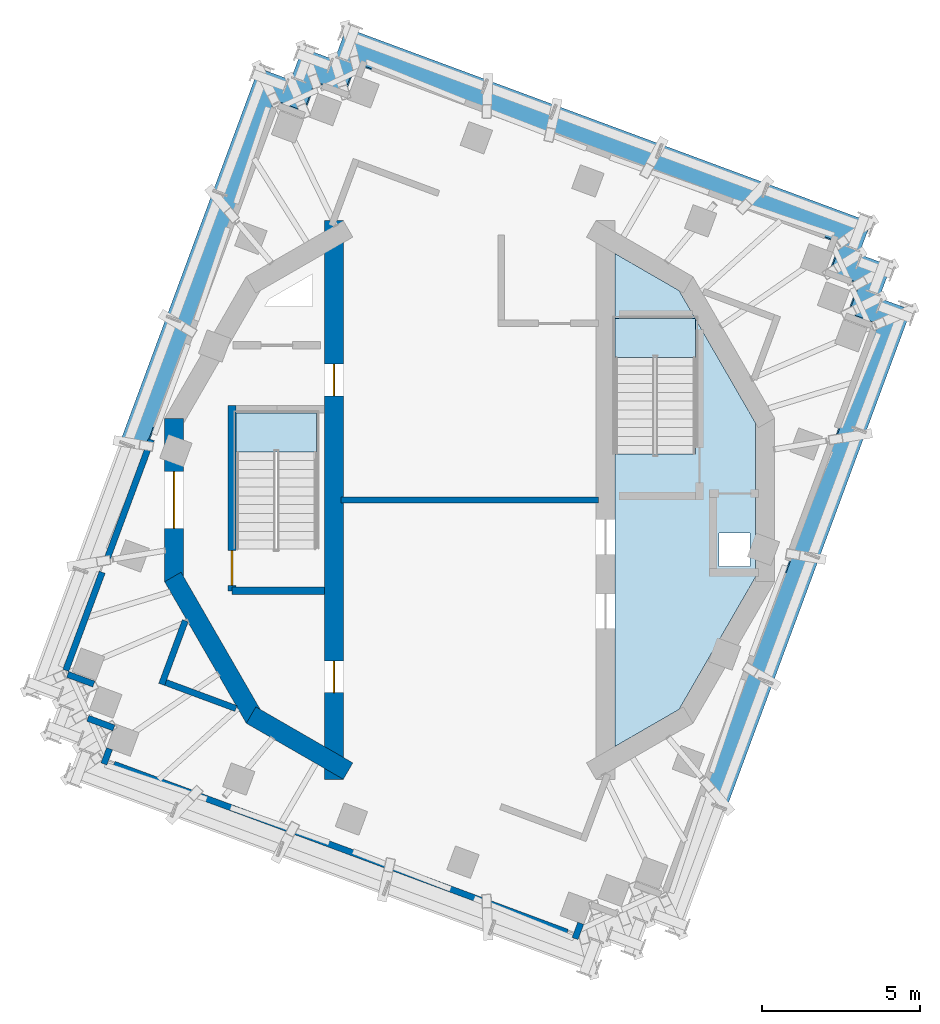
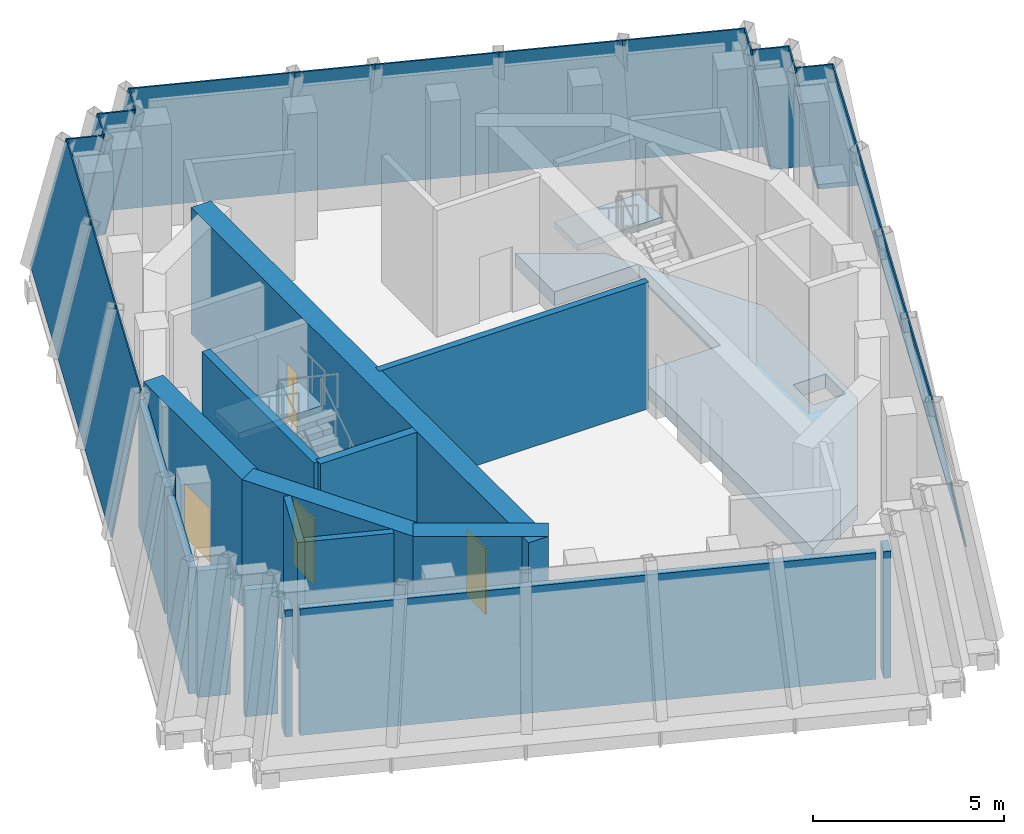
# One storey, part 4 of 11: 20 plates, 16 walls, 4 doors, 4 slabs, 4 openings, 22 elements without a shape of their own.
"""IFC4 building model written with IfcOpenShell, lengths in metres."""

from ifc_helpers import new_model, si_unit, direction, frame, frame_2d, origin, place, context, subcontext, project, spatial, polyline, rectangle, outline, extrude, material, layer, layer_set, type_object, element, fill, aggregate, save


model = new_model("IFC4")

# Units and contexts
model_context = context("Model", 3, precision=1e-05, world=origin(), true_north=direction((0.0, 1.0)))
body_context = subcontext(model_context, "Body", "Model", "MODEL_VIEW")
ifc_project = project(units=[si_unit("LENGTHUNIT", "METRE"), si_unit("AREAUNIT", "SQUARE_METRE"), si_unit("VOLUMEUNIT", "CUBIC_METRE"), si_unit("PLANEANGLEUNIT", "RADIAN"), si_unit("MASSUNIT", "GRAM", prefix="KILO")], contexts=[model_context])

# Site, building, storey
site_placement = place(None, origin())
site = spatial("IfcSite", under=ifc_project, at=site_placement, CompositionType="ELEMENT")
building_placement = place(site_placement, origin())
building = spatial("IfcBuilding", under=site, at=building_placement, Name="Cantera Rosa Tower", CompositionType="ELEMENT")
storey_placement = place(building_placement, frame((0.0, 0.0, 369.699951171875)))
storey = spatial("IfcBuildingStorey", under=building, at=storey_placement, Name="L83", CompositionType="ELEMENT", Elevation=369.699951171875)

# Curtain wall, plate
ifc_material_1 = material(Name="Aluminium frame with clear glass", Category="aluminium")
curtain_wall_type = type_object("IfcCurtainWallType", Name="CW4 CROWN GLAZING", PredefinedType="NOTDEFINED", material=ifc_material_1)
curtain_wall_1_placement = place(storey_placement, origin())
curtain_wall_1 = element("IfcCurtainWall", 1, at=curtain_wall_1_placement, inside=storey, type_object=curtain_wall_type, Name="CW4 L83-01", PredefinedType="NOTDEFINED")
ifc_material_2 = material(Name="Aluminium frame with clear glass", Category="aluminium")
ifc_layer_1 = layer(ifc_material_2, 0.0400390625)
ifc_layer_set_1 = layer_set([ifc_layer_1], Name="CW-PANEL CROWN 40")
plate_type = type_object("IfcPlateType", Name="CW-PANEL CROWN 40", PredefinedType="CURTAIN_PANEL", material=ifc_layer_set_1)
plate_1_placement = place(storey_placement, frame((12.704345703125, 8.796630859375, 0.0), z_axis=(0.340165355727, 0.91795600578, 0.204069356384), x_axis=(-0.937688267395, 0.347477644157, -6.23749e-07)))
plate_1 = element("IfcPlate", 2, at=plate_1_placement, type_object=plate_type, Name="CROWN GLAZING L83-01", PredefinedType="CURTAIN_PANEL", context=body_context, shape_type="SweptSolid", body=[
    extrude(outline(polyline([(0.0, 0.0), (3.5425216914109896, 2.7755575615628914e-17), (3.935899338114122, 4.596734137650052), (0.6560934916046288, 4.596729790755688), (0.0, 0.0)])), origin(), (0.0, 0.0, -1.0), 0.0400390625),
])
aggregate(curtain_wall_1, [plate_1])

curtain_wall_2_placement = place(storey_placement, origin())
curtain_wall_2 = element("IfcCurtainWall", 3, at=curtain_wall_2_placement, inside=storey, type_object=curtain_wall_type, Name="CW4 L83-02", PredefinedType="NOTDEFINED")
plate_2_placement = place(storey_placement, frame((9.382568359375, 10.027587890625, 0.0), z_axis=(0.34019613828, 0.917944538291, 0.204069625669), x_axis=(-0.937676746186, 0.347508733216, 1.295358e-06)))
plate_2 = element("IfcPlate", 4, at=plate_2_placement, type_object=plate_type, Name="CROWN GLAZING L83-02", PredefinedType="CURTAIN_PANEL", context=body_context, shape_type="SweptSolid", body=[
    extrude(outline(polyline([(0.0, 0.0), (3.5422927648262013, 8.326672684688674e-17), (3.6734747911002588, 4.596727032692351), (0.39335518079024817, 4.596736060132254), (0.0, 0.0)])), origin(), (0.0, 0.0, -1.0), 0.0400390625),
])
aggregate(curtain_wall_2, [plate_2])

curtain_wall_3_placement = place(storey_placement, origin())
curtain_wall_3 = element("IfcCurtainWall", 5, at=curtain_wall_3_placement, inside=storey, type_object=curtain_wall_type, Name="CW4 L83-03", PredefinedType="NOTDEFINED")
plate_3_placement = place(storey_placement, frame((6.06103515625, 11.258544921875, 0.0), z_axis=(0.340153527855, 0.917959118836, 0.204075068623), x_axis=(-0.937692408007, 0.347466470263, -3.107885e-06)))
plate_3 = element("IfcPlate", 6, at=plate_3_placement, type_object=plate_type, Name="CROWN GLAZING L83-03", PredefinedType="CURTAIN_PANEL", context=body_context, shape_type="SweptSolid", body=[
    extrude(outline(polyline([(0.0, 0.0), (3.5425216910167356, 0.0), (3.411239265290059, 4.596748050840257), (0.13120449008120116, 4.596726391300614), (0.0, 0.0)])), origin(), (0.0, 0.0, -1.0), 0.0400390625),
])
aggregate(curtain_wall_3, [plate_3])

curtain_wall_4_placement = place(storey_placement, origin())
curtain_wall_4 = element("IfcCurtainWall", 7, at=curtain_wall_4_placement, inside=storey, type_object=curtain_wall_type, Name="CW4 L83-04", PredefinedType="NOTDEFINED")
plate_4_placement = place(storey_placement, frame((2.7392578125, 12.489501953125, 0.0), z_axis=(0.3401485972, 0.917958198067, 0.204087428382), x_axis=(-0.93769413792, 0.347461801801, -3.12914e-07)))
plate_4 = element("IfcPlate", 8, at=plate_4_placement, type_object=plate_type, Name="CROWN GLAZING L83-04", PredefinedType="CURTAIN_PANEL", context=body_context, shape_type="SweptSolid", body=[
    extrude(outline(polyline([(0.0, 0.0), (2.2969214635780513, 2.7755575615628914e-17), (1.9956367477705963, 4.596749957763472), (-0.13126517769772536, 4.596748543724195), (0.0, 0.0)])), origin(), (0.0, 0.0, -1.0), 0.0400390625),
])
aggregate(curtain_wall_4, [plate_4])

curtain_wall_5_placement = place(storey_placement, origin())
curtain_wall_5 = element("IfcCurtainWall", 9, at=curtain_wall_5_placement, inside=storey, type_object=curtain_wall_type, Name="CW4 L83-05", PredefinedType="NOTDEFINED")
plate_5_placement = place(storey_placement, frame((0.58544921875, 13.28759765625, 0.0), z_axis=(0.340173414092, 0.917955003053, 0.204060433978), x_axis=(-0.937685886302, 0.347484069566, 5.239377e-06)))
plate_5 = element("IfcPlate", 10, at=plate_5_placement, type_object=plate_type, Name="CROWN GLAZING L83-05", PredefinedType="CURTAIN_PANEL", context=body_context, shape_type="SweptSolid", body=[
    extrude(outline(polyline([(0.0, 0.0), (4.787808157527941, 5.551115123125783e-17), (4.131741521145036, 4.59670078371996), (-0.30128200891923224, 4.596750133537812), (0.0, 0.0)])), origin(), (0.0, 0.0, -1.0), 0.0400390625),
])
aggregate(curtain_wall_5, [plate_5])

curtain_wall_6_placement = place(storey_placement, origin())
curtain_wall_6 = element("IfcCurtainWall", 11, at=curtain_wall_6_placement, inside=storey, type_object=curtain_wall_type, Name="CW4 L83-06", PredefinedType="NOTDEFINED")
plate_6_placement = place(storey_placement, frame((-3.904052734375, 14.951171875, 0.0), z_axis=(-0.92785937588, 0.343896809611, 0.144263519058), x_axis=(-0.347530614939, -0.937668636321, 1.1874287e-05)))
plate_6 = element("IfcPlate", 12, at=plate_6_placement, type_object=plate_type, Name="CROWN GLAZING L83-06", PredefinedType="CURTAIN_PANEL", context=body_context, shape_type="SweptSolid", body=[
    extrude(outline(polyline([(0.0, 0.0), (1.0799814596236874, -1.3877787807814457e-17), (1.938019738841412, 4.547547492906779), (0.9379052789341547, 4.547572453670611), (0.0, 0.0)])), origin(), (0.0, 0.0, -1.0), 0.0400390625),
])
aggregate(curtain_wall_6, [plate_6])

curtain_wall_7_placement = place(storey_placement, origin())
curtain_wall_7 = element("IfcCurtainWall", 13, at=curtain_wall_7_placement, inside=storey, type_object=curtain_wall_type, Name="CW4 L83-07", PredefinedType="NOTDEFINED")
plate_7_placement = place(storey_placement, frame((-4.279296875, 13.9384765625, 0.0), z_axis=(0.341318357616, 0.92109832454, 0.187295636052), x_axis=(-0.937692277165, 0.347466823364, 2.558295e-06)))
plate_7 = element("IfcPlate", 14, at=plate_7_placement, type_object=plate_type, Name="CROWN GLAZING L83-07", PredefinedType="CURTAIN_PANEL", context=body_context, shape_type="SweptSolid", body=[
    extrude(outline(polyline([(0.0, 0.0), (1.0799814631813167, 0.0), (0.3439133341524244, 4.5810675658961095), (-0.6558873577324322, 4.581072982446007), (0.0, 0.0)])), origin(), (0.0, 0.0, -1.0), 0.0400390625),
])
aggregate(curtain_wall_7, [plate_7])

curtain_wall_8_placement = place(storey_placement, origin())
curtain_wall_8 = element("IfcCurtainWall", 15, at=curtain_wall_8_placement, inside=storey, type_object=curtain_wall_type, Name="CW4 L83-08", PredefinedType="NOTDEFINED")
plate_8_placement = place(storey_placement, frame((-5.2919921875, 14.313720703125, 0.0), z_axis=(-0.925357342756, 0.343012405095, 0.161419571792), x_axis=(-0.347567460448, -0.937654979216, 1.9749413e-05)))
plate_8 = element("IfcPlate", 16, at=plate_8_placement, type_object=plate_type, Name="CROWN GLAZING L83-08", PredefinedType="CURTAIN_PANEL", context=body_context, shape_type="SweptSolid", body=[
    extrude(outline(polyline([(0.0, 0.0), (1.0799814551988824, 0.0), (1.8578948823988308, 4.559760598505804), (0.8580093394628903, 4.559802220494886), (0.0, 0.0)])), origin(), (0.0, 0.0, -1.0), 0.0400390625),
])
aggregate(curtain_wall_8, [plate_8])

curtain_wall_9_placement = place(storey_placement, origin())
curtain_wall_9 = element("IfcCurtainWall", 17, at=curtain_wall_9_placement, inside=storey, type_object=curtain_wall_type, Name="CW4 L83-09", PredefinedType="NOTDEFINED")
plate_9_placement = place(storey_placement, frame((-5.667236328125, 13.301025390625, 0.0), z_axis=(0.342389302331, 0.923988428047, 0.17033775414), x_axis=(-0.937692247863, 0.347466902441, 2.333965e-06)))
plate_9 = element("IfcPlate", 18, at=plate_9_placement, type_object=plate_type, Name="CROWN GLAZING L83-09", PredefinedType="CURTAIN_PANEL", context=body_context, shape_type="SweptSolid", body=[
    extrude(outline(polyline([(0.0, 0.0), (1.0799814631806834, -6.938893903907228e-18), (0.2639904121569311, 4.566738910059419), (-0.7358102797297783, 4.566743836190985), (0.0, 0.0)])), origin(), (0.0, 0.0, -1.0), 0.0400390625),
])
aggregate(curtain_wall_9, [plate_9])

curtain_wall_10_placement = place(storey_placement, origin())
curtain_wall_10 = element("IfcCurtainWall", 19, at=curtain_wall_10_placement, inside=storey, type_object=curtain_wall_type, Name="CW4 L83-10", PredefinedType="NOTDEFINED")
plate_10_placement = place(storey_placement, frame((-6.679931640625, 13.67626953125, 0.0), z_axis=(-0.92262675719, 0.341932435402, 0.178443482752), x_axis=(-0.347510315177, -0.937676159897, -2.366068e-06)))
plate_10 = element("IfcPlate", 20, at=plate_10_placement, type_object=plate_type, Name="CROWN GLAZING L83-10", PredefinedType="CURTAIN_PANEL", context=body_context, shape_type="SweptSolid", body=[
    extrude(outline(polyline([(0.0, 0.0), (4.2010538390389245, 0.0), (4.667957882651408, 4.5734135868692665), (0.7778250408148607, 4.573394130293055), (0.0, 0.0)])), origin(), (0.0, 0.0, -1.0), 0.0400390625),
])
aggregate(curtain_wall_10, [plate_10])

curtain_wall_11_placement = place(storey_placement, origin())
curtain_wall_11 = element("IfcCurtainWall", 21, at=curtain_wall_11_placement, inside=storey, type_object=curtain_wall_type, Name="CW4 L83-11", PredefinedType="NOTDEFINED")
plate_11_placement = place(storey_placement, frame((-8.139892578125, 9.737060546875, 0.0), z_axis=(-0.92263984689, 0.341907596756, 0.178423395917), x_axis=(-0.34748240003, -0.937686504988, 5.778783e-06)))
plate_11 = element("IfcPlate", 22, at=plate_11_placement, type_object=plate_type, Name="CROWN GLAZING L83-11", PredefinedType="CURTAIN_PANEL", context=body_context, shape_type="SweptSolid", body=[
    extrude(outline(polyline([(0.0, 0.0), (4.201197928286245, 0.0), (4.356868906778669, 4.573359843239771), (0.46696499235436695, 4.573407362460276), (0.0, 0.0)])), origin(), (0.0, 0.0, -1.0), 0.0400390625),
])
aggregate(curtain_wall_11, [plate_11])

curtain_wall_12_placement = place(storey_placement, origin())
curtain_wall_12 = element("IfcCurtainWall", 23, at=curtain_wall_12_placement, inside=storey, type_object=curtain_wall_type, Name="CW4 L83-12", PredefinedType="NOTDEFINED")
plate_12_placement = place(storey_placement, frame((-9.599609375, 5.797607421875, 0.0), z_axis=(-0.922643619903, 0.341897992947, 0.178422288606), x_axis=(-0.347474508271, -0.937689429433, -5.62825e-06)))
plate_12 = element("IfcPlate", 24, at=plate_12_placement, type_object=plate_type, Name="CROWN GLAZING L83-12", PredefinedType="CURTAIN_PANEL", context=body_context, shape_type="SweptSolid", body=[
    extrude(outline(polyline([(0.0, 0.0), (4.201282761911485, 0.0), (4.045674521809842, 4.573407639344255), (0.15562651327838906, 4.573361356663039), (0.0, 0.0)])), origin(), (0.0, 0.0, -1.0), 0.0400390625),
])
aggregate(curtain_wall_12, [plate_12])

curtain_wall_13_placement = place(storey_placement, origin())
curtain_wall_13 = element("IfcCurtainWall", 25, at=curtain_wall_13_placement, inside=storey, type_object=curtain_wall_type, Name="CW4 L83-29", PredefinedType="NOTDEFINED")
plate_13_placement = place(storey_placement, frame((8.139892578125, -9.737060546875, 0.0), z_axis=(0.92263984689, -0.341907596756, 0.178423395917), x_axis=(0.34748240003, 0.937686504988, 5.778783e-06)))
plate_13 = element("IfcPlate", 26, at=plate_13_placement, type_object=plate_type, Name="CROWN GLAZING L83-29", PredefinedType="CURTAIN_PANEL", context=body_context, shape_type="SweptSolid", body=[
    extrude(outline(polyline([(0.0, 0.0), (4.201197928286245, 0.0), (4.356868906778669, 4.573359843239771), (0.46696499235436695, 4.573407362460276), (0.0, 0.0)])), origin(), (0.0, 0.0, -1.0), 0.0400390625),
])
aggregate(curtain_wall_13, [plate_13])

curtain_wall_14_placement = place(storey_placement, origin())
curtain_wall_14 = element("IfcCurtainWall", 27, at=curtain_wall_14_placement, inside=storey, type_object=curtain_wall_type, Name="CW4 L83-30", PredefinedType="NOTDEFINED")
plate_14_placement = place(storey_placement, frame((9.599609375, -5.797607421875, 0.0), z_axis=(0.922643619903, -0.341897992947, 0.178422288606), x_axis=(0.347474508271, 0.937689429433, -5.62825e-06)))
plate_14 = element("IfcPlate", 28, at=plate_14_placement, type_object=plate_type, Name="CROWN GLAZING L83-30", PredefinedType="CURTAIN_PANEL", context=body_context, shape_type="SweptSolid", body=[
    extrude(outline(polyline([(0.0, 0.0), (4.201282761911485, 0.0), (4.045674521809842, 4.573407639344255), (0.15562651327838906, 4.573361356663039), (0.0, 0.0)])), origin(), (0.0, 0.0, -1.0), 0.0400390625),
])
aggregate(curtain_wall_14, [plate_14])

curtain_wall_15_placement = place(storey_placement, origin())
curtain_wall_15 = element("IfcCurtainWall", 29, at=curtain_wall_15_placement, inside=storey, type_object=curtain_wall_type, Name="CW4 L83-31", PredefinedType="NOTDEFINED")
plate_15_placement = place(storey_placement, frame((11.0595703125, -1.858154296875, 0.0), z_axis=(0.922640223425, -0.34190773629, 0.178421181432), x_axis=(0.347482400054, 0.937686504979, 5.778713e-06)))
plate_15 = element("IfcPlate", 30, at=plate_15_placement, type_object=plate_type, Name="CROWN GLAZING L83-31", PredefinedType="CURTAIN_PANEL", context=body_context, shape_type="SweptSolid", body=[
    extrude(outline(polyline([(0.0, 0.0), (4.201197928286243, 2.7755575615628914e-17), (3.7343401369501623, 4.573361633215061), (-0.15556377747414465, 4.573409151845786), (0.0, 0.0)])), origin(), (0.0, 0.0, -1.0), 0.0400390625),
])
aggregate(curtain_wall_15, [plate_15])

curtain_wall_16_placement = place(storey_placement, origin())
curtain_wall_16 = element("IfcCurtainWall", 31, at=curtain_wall_16_placement, inside=storey, type_object=curtain_wall_type, Name="CW4 L83-32", PredefinedType="NOTDEFINED")
plate_16_placement = place(storey_placement, frame((12.519287109375, 2.081298828125, 0.0), z_axis=(0.922643761497, -0.341898045416, 0.178421455858), x_axis=(0.347474508262, 0.937689429436, -5.628224e-06)))
plate_16 = element("IfcPlate", 32, at=plate_16_placement, type_object=plate_type, Name="CROWN GLAZING L83-32", PredefinedType="CURTAIN_PANEL", context=body_context, shape_type="SweptSolid", body=[
    extrude(outline(polyline([(0.0, 0.0), (4.201282761911484, 2.7755575615628914e-17), (3.4231457523757594, 4.573403376509199), (-0.4669022561556955, 4.573357094043997), (0.0, 0.0)])), origin(), (0.0, 0.0, -1.0), 0.0400390625),
])
aggregate(curtain_wall_16, [plate_16])

curtain_wall_17_placement = place(storey_placement, origin())
curtain_wall_17 = element("IfcCurtainWall", 33, at=curtain_wall_17_placement, inside=storey, type_object=curtain_wall_type, Name="CW4 L83-33", PredefinedType="NOTDEFINED")
plate_17_placement = place(storey_placement, frame((13.979248046875, 6.020751953125, 0.0), z_axis=(0.342348898241, 0.923995050015, 0.170383037364), x_axis=(-0.937706006846, 0.347429769456, -4.512703e-06)))
plate_17 = element("IfcPlate", 34, at=plate_17_placement, type_object=plate_type, Name="CROWN GLAZING L83-33", PredefinedType="CURTAIN_PANEL", context=body_context, shape_type="SweptSolid", body=[
    extrude(outline(polyline([(0.0, 0.0), (1.079981462903266, -6.938893903907228e-18), (1.8161701289868426, 4.56678413597163), (0.8161405063716033, 4.566774610212312), (0.0, 0.0)])), origin(), (0.0, 0.0, -1.0), 0.0400390625),
])
aggregate(curtain_wall_17, [plate_17])

curtain_wall_18_placement = place(storey_placement, origin())
curtain_wall_18 = element("IfcCurtainWall", 35, at=curtain_wall_18_placement, inside=storey, type_object=curtain_wall_type, Name="CW4 L83-34", PredefinedType="NOTDEFINED")
plate_18_placement = place(storey_placement, frame((12.966552734375, 6.39599609375, 0.0), z_axis=(0.925371547911, -0.342974734431, 0.161418183172), x_axis=(0.347530205937, 0.937668787892, 1.3250659e-05)))
plate_18 = element("IfcPlate", 36, at=plate_18_placement, type_object=plate_type, Name="CROWN GLAZING L83-34", PredefinedType="CURTAIN_PANEL", context=body_context, shape_type="SweptSolid", body=[
    extrude(outline(polyline([(0.0, 0.0), (1.079981459643279, -2.0816681711721685e-17), (0.22196449854271758, 4.55979374824089), (-0.7781499613072135, 4.559821677139163), (0.0, 0.0)])), origin(), (0.0, 0.0, -1.0), 0.0400390625),
])
aggregate(curtain_wall_18, [plate_18])

curtain_wall_19_placement = place(storey_placement, origin())
curtain_wall_19 = element("IfcCurtainWall", 37, at=curtain_wall_19_placement, inside=storey, type_object=curtain_wall_type, Name="CW4 L83-35", PredefinedType="NOTDEFINED")
plate_19_placement = place(storey_placement, frame((13.341796875, 7.40869140625, 0.0), z_axis=(0.341280622844, 0.921111789155, 0.18729818032), x_axis=(-0.937705950344, 0.347429921947, -4.945232e-06)))
plate_19 = element("IfcPlate", 38, at=plate_19_placement, type_object=plate_type, Name="CROWN GLAZING L83-35", PredefinedType="CURTAIN_PANEL", context=body_context, shape_type="SweptSolid", body=[
    extrude(outline(polyline([(0.0, 0.0), (1.0799814629056264, 0.0), (1.736045265171779, 4.581079463833506), (0.7360156425634461, 4.581068992383918), (0.0, 0.0)])), origin(), (0.0, 0.0, -1.0), 0.0400390625),
])
aggregate(curtain_wall_19, [plate_19])

curtain_wall_20_placement = place(storey_placement, origin())
curtain_wall_20 = element("IfcCurtainWall", 39, at=curtain_wall_20_placement, inside=storey, type_object=curtain_wall_type, Name="CW4 L83-36", PredefinedType="NOTDEFINED")
plate_20_placement = place(storey_placement, frame((12.3291015625, 7.783935546875, 0.0), z_axis=(0.92789523689, -0.343793954337, 0.144278017447), x_axis=(0.347429562423, 0.937706083557, -3.837425e-06)))
plate_20 = element("IfcPlate", 40, at=plate_20_placement, type_object=plate_type, Name="CROWN GLAZING L83-36", PredefinedType="CURTAIN_PANEL", context=body_context, shape_type="SweptSolid", body=[
    extrude(outline(polyline([(0.0, 0.0), (1.0799814629000617, -6.938893903907228e-18), (0.14195674816108705, 4.547581013327612), (-0.8580728744635288, 4.547572947045367), (0.0, 0.0)])), origin(), (0.0, 0.0, -1.0), 0.0400390625),
])
aggregate(curtain_wall_20, [plate_20])

# Slabs
ifc_material_3 = material(Name="Concrete C50/60", Category="concrete")
ifc_layer_2 = layer(ifc_material_3, 0.449951171875)
ifc_layer_set_2 = layer_set([ifc_layer_2], Name="RC CROWN PLATE 450 C50/60")
slab_type_1 = type_object("IfcSlabType", Name="RC CROWN PLATE 450 C50/60", PredefinedType="FLOOR", material=ifc_layer_set_2)
slab_1_placement = place(storey_placement, frame((0.0, 0.0, -0.449951171875)))
element("IfcSlab", 41, at=slab_1_placement, inside=storey, type_object=slab_type_1, Name="SLAB L83 floor 3", PredefinedType="FLOOR", context=body_context, shape_type="SweptSolid", body=[
    extrude(outline(polyline([(4.60009765625, 5.75), (4.60009765625, 7.804931640625), (6.6318359375, 6.6318359375), (7.14111328125, 5.75), (4.60009765625, 5.75)])), origin(), (0.0, 0.0, 1.0), 0.449951171875),
])
slab_2_placement = place(storey_placement, frame((0.0, 0.0, -0.449951171875)))
element("IfcSlab", 42, at=slab_2_placement, inside=storey, type_object=slab_type_1, Name="SLAB L83 floor 4", PredefinedType="FLOOR", context=body_context, shape_type="SweptSolid", body=[
    extrude(outline(polyline([(4.60009765625, -7.804931640625), (4.60009765625, 1.4619140625), (7.14990234375, 1.4619140625), (7.14990234375, 5.734375), (9.059326171875, 2.427490234375), (9.059326171875, -2.427490234375), (6.6318359375, -6.6318359375), (4.60009765625, -7.804931640625)]), holes=[polyline([(8.8798828125, -2.10009765625), (8.8798828125, -1.050048828125), (7.89990234375, -1.050048828125), (7.89990234375, -2.10009765625), (8.8798828125, -2.10009765625)])]), origin(), (0.0, 0.0, 1.0), 0.449951171875),
])

# Stair, slab
ifc_material_4 = material(Name="Concrete C35/45", Category="concrete")
stair_type = type_object("IfcStairType", Name="EXIT STAIR 1200 DOGLEG", PredefinedType="HALF_TURN_STAIR", material=ifc_material_4)
stair_1_placement = place(storey_placement, origin())
stair_1 = element("IfcStair", 43, at=stair_1_placement, inside=storey, type_object=stair_type, Name="L83 ST-71", PredefinedType="HALF_TURN_STAIR")
ifc_material_5 = material(Name="Concrete C35/45", Category="concrete")
ifc_layer_3 = layer(ifc_material_5, 0.199951171875)
ifc_layer_set_3 = layer_set([ifc_layer_3], Name="STAIR LANDING 200")
slab_type_2 = type_object("IfcSlabType", Name="STAIR LANDING 200", PredefinedType="LANDING", material=ifc_layer_set_3)
slab_3_placement = place(storey_placement, frame((0.0, 0.0, 2.050048828125)))
slab_3 = element("IfcSlab", 44, at=slab_3_placement, type_object=slab_type_2, Name="ST-71 landing 1", PredefinedType="LANDING", context=body_context, shape_type="SweptSolid", body=[
    extrude(outline(polyline([(-4.85009765625, 1.51806640625), (-4.85009765625, 2.75), (-7.39990234375, 2.75), (-7.39990234375, 1.51806640625), (-4.85009765625, 1.51806640625)])), origin(), (0.0, 0.0, 1.0), 0.199951171875),
])
aggregate(stair_1, [slab_3])

stair_2_placement = place(storey_placement, origin())
stair_2 = element("IfcStair", 45, at=stair_2_placement, inside=storey, type_object=stair_type, Name="L83 ST-72", PredefinedType="HALF_TURN_STAIR")
slab_4_placement = place(storey_placement, frame((0.0, 0.0, 2.050048828125)))
slab_4 = element("IfcSlab", 46, at=slab_4_placement, type_object=slab_type_2, Name="ST-72 landing 1", PredefinedType="LANDING", context=body_context, shape_type="SweptSolid", body=[
    extrude(outline(polyline([(7.14990234375, 4.51806640625), (7.14990234375, 5.75), (4.60009765625, 5.75), (4.60009765625, 4.51806640625), (7.14990234375, 4.51806640625)])), origin(), (0.0, 0.0, 1.0), 0.199951171875),
])
aggregate(stair_2, [slab_4])

# Walls
ifc_material_6 = material(Name="Masonry blockwork", Category="masonry")
ifc_layer_4 = layer(ifc_material_6, 0.199951171875)
ifc_layer_set_4 = layer_set([ifc_layer_4], Name="Blockwork partition 200")
wall_type_1 = type_object("IfcWallType", Name="Blockwork partition 200", PredefinedType="PARTITIONING", material=ifc_layer_set_4)
wall_1_placement = place(storey_placement, frame((-11.26611328125, -7.218017578125, 0.0), z_axis=(0.0, 0.0, 1.0), x_axis=(-0.937644983039, 0.347594427144, 0.0)))
element("IfcWall", 47, at=wall_1_placement, inside=storey, type_object=wall_type_1, Name="Partition L83-2", PredefinedType="PARTITIONING", context=body_context, shape_type="SweptSolid", body=[
    extrude(rectangle(XDim=0.880126953125, YDim=0.199951171875, at=frame_2d((0.43994140625, 0.0))), origin(), (0.0, 0.0, 1.0), 4.050048828125),
])
wall_2_placement = place(storey_placement, frame((3.338134765625, -13.88818359375, 0.0), z_axis=(0.0, 0.0, 1.0), x_axis=(0.347545352018, 0.937663174221, 0.0)))
element("IfcWall", 48, at=wall_2_placement, inside=storey, type_object=wall_type_1, Name="Partition L83-3", PredefinedType="PARTITIONING", context=body_context, shape_type="SweptSolid", body=[
    extrude(rectangle(XDim=0.516357421875, YDim=0.199951171875, at=frame_2d((0.25830078125, 0.0))), origin(), (0.0, 0.0, 1.0), 4.050048828125),
])
wall_3_placement = place(storey_placement, frame((3.091552734375, -13.690185546875, 0.0), z_axis=(0.0, 0.0, 1.0), x_axis=(-0.937688931354, 0.347475852423, 0.0)))
element("IfcWall", 49, at=wall_3_placement, inside=storey, type_object=wall_type_1, Name="Partition L83-5", PredefinedType="PARTITIONING", context=body_context, shape_type="SweptSolid", body=[
    extrude(rectangle(XDim=15.31201171875, YDim=0.199951171875, at=frame_2d((7.656005859375, 0.0))), origin(), (0.0, 0.0, 1.0), 4.050048828125),
])
wall_4_placement = place(storey_placement, frame((-11.58251953125, -8.359130859375, 0.0), z_axis=(0.0, 0.0, 1.0), x_axis=(0.347960985741, 0.937509014571, 0.0)))
element("IfcWall", 50, at=wall_4_placement, inside=storey, type_object=wall_type_1, Name="Partition L83-6", PredefinedType="PARTITIONING", context=body_context, shape_type="SweptSolid", body=[
    extrude(rectangle(XDim=0.516357421875, YDim=0.199951171875, at=frame_2d((0.25830078125, 0.0))), origin(), (0.0, 0.0, 1.0), 4.050048828125),
])
wall_5_placement = place(storey_placement, frame((-11.903564453125, -5.830078125, 0.0), z_axis=(0.0, 0.0, 1.0), x_axis=(-0.937644983039, 0.347594427144, 0.0)))
element("IfcWall", 51, at=wall_5_placement, inside=storey, type_object=wall_type_1, Name="Partition L83-9", PredefinedType="PARTITIONING", context=body_context, shape_type="SweptSolid", body=[
    extrude(rectangle(XDim=0.880126953125, YDim=0.199951171875, at=frame_2d((0.43994140625, 0.0))), origin(), (0.0, 0.0, 1.0), 4.050048828125),
])
wall_6_placement = place(storey_placement, frame((-12.787841796875, -5.395751953125, 0.0), z_axis=(0.0, 0.0, 1.0), x_axis=(0.347496661373, 0.937681219997, 0.0)))
element("IfcWall", 52, at=wall_6_placement, inside=storey, type_object=wall_type_1, Name="Partition L83-10", PredefinedType="PARTITIONING", context=body_context, shape_type="SweptSolid", body=[
    extrude(rectangle(XDim=3.314697265625, YDim=0.199951171875, at=frame_2d((1.6572265625, 0.0))), origin(), (0.0, 0.0, 1.0), 4.050048828125),
])
wall_7_placement = place(storey_placement, frame((-11.4970703125, -1.91259765625, 0.0), z_axis=(0.0, 0.0, 1.0), x_axis=(0.347493685253, 0.937682322916, 0.0)))
element("IfcWall", 53, at=wall_7_placement, inside=storey, type_object=wall_type_1, Name="Partition L83-11", PredefinedType="PARTITIONING", context=body_context, shape_type="SweptSolid", body=[
    extrude(rectangle(XDim=4.0791015625, YDim=0.199951171875, at=frame_2d((2.03955078125, 0.0))), origin(), (0.0, 0.0, 1.0), 4.050048828125),
])
wall_8_placement = place(storey_placement, frame((-9.752197265625, -5.837890625, 0.0), z_axis=(0.0, 0.0, 1.0), x_axis=(0.347488123432, 0.937684384041, 0.0)))
element("IfcWall", 54, at=wall_8_placement, inside=storey, type_object=wall_type_1, Name="Partition L83-23", PredefinedType="PARTITIONING", context=body_context, shape_type="SweptSolid", body=[
    extrude(rectangle(XDim=2.150634765625, YDim=0.199951171875, at=frame_2d((1.0751953125, 0.0))), origin(), (0.0, 0.0, 1.0), 4.050048828125),
])
wall_9_placement = place(storey_placement, frame((-7.398681640625, -6.603515625, 0.0), z_axis=(0.0, 0.0, 1.0), x_axis=(-0.937700349414, 0.347445038399, 0.0)))
element("IfcWall", 55, at=wall_9_placement, inside=storey, type_object=wall_type_1, Name="Partition L83-26", PredefinedType="PARTITIONING", context=body_context, shape_type="SweptSolid", body=[
    extrude(rectangle(XDim=2.373046875, YDim=0.199951171875, at=frame_2d((1.1865234375, 0.0))), origin(), (0.0, 0.0, 1.0), 4.050048828125),
])
wall_10_placement = place(storey_placement, frame((-4.074951171875, 0.0, 0.0), z_axis=(0.0, 0.0, 1.0), x_axis=(1.0, 0.0, 0.0)))
element("IfcWall", 56, at=wall_10_placement, inside=storey, type_object=wall_type_1, Name="Partition L83-SLOT", PredefinedType="PARTITIONING", context=body_context, shape_type="SweptSolid", body=[
    extrude(rectangle(XDim=8.14990234375, YDim=0.199951171875, at=frame_2d((4.074951171875, 0.0))), origin(), (0.0, 0.0, 1.0), 4.050048828125),
])
ifc_material_7 = material(Name="Concrete C50/60", Category="concrete")
ifc_layer_5 = layer(ifc_material_7, 0.60009765625)
ifc_layer_set_5 = layer_set([ifc_layer_5], Name="RC CORE WALL 600 C50/60")
wall_type_2 = type_object("IfcWallType", Name="RC CORE WALL 600 C50/60", PredefinedType="SHEAR", material=ifc_layer_set_5)
wall_11_placement = place(storey_placement, frame((-3.85009765625, -8.584228515625, 0.0), z_axis=(0.0, 0.0, 1.0), x_axis=(-0.866039982607, 0.499974747889, 0.0)))
element("IfcWall", 57, at=wall_11_placement, inside=storey, type_object=wall_type_2, Name="CW-W1 L83", PredefinedType="SHEAR", context=body_context, shape_type="SweptSolid", body=[
    extrude(rectangle(XDim=3.546142578125, YDim=0.60009765625, at=frame_2d((1.77294921875, 0.0))), origin(), (0.0, 0.0, 1.0), 4.050048828125),
])
wall_12_placement = place(storey_placement, frame((-6.811279296875, -6.921142578125, 0.0), z_axis=(0.0, 0.0, 1.0), x_axis=(-0.499989188378, 0.866031645787, 0.0)))
element("IfcWall", 58, at=wall_12_placement, inside=storey, type_object=wall_type_2, Name="CW-W2 L83", PredefinedType="SHEAR", context=body_context, shape_type="SweptSolid", body=[
    extrude(rectangle(XDim=5.17626953125, YDim=0.60009765625, at=frame_2d((2.588134765625, 0.0))), origin(), (0.0, 0.0, 1.0), 4.050048828125),
])

# Wall, opening, door
wall_13_placement = place(storey_placement, frame((-9.359375, -2.588134765625, 0.0), z_axis=(0.0, 0.0, 1.0), x_axis=(0.0, 1.0, 0.0)))
wall_13 = element("IfcWall", 59, at=wall_13_placement, inside=storey, type_object=wall_type_2, Name="CW-W3 L83", PredefinedType="SHEAR", context=body_context, shape_type="SweptSolid", body=[
    extrude(rectangle(XDim=5.17626953125, YDim=0.60009765625, at=frame_2d((2.588134765625, 0.0))), origin(), (0.0, 0.0, 1.0), 4.050048828125),
])
opening_1_placement = place(wall_13_placement, frame((1.688232421875, 0.0, 0.0)))
opening_1 = element("IfcOpeningElement", 60, at=opening_1_placement, cuts=wall_13, Name="Opening L83-ST-71-L", PredefinedType="OPENING", context=body_context, shape_type="SweptSolid", body=[
    extrude(rectangle(XDim=1.800048828125, YDim=2.10009765625, at=frame_2d((0.89990234375, 1.050048828125))), frame((0.0, 0.31005859375, 0.0), z_axis=(0.0, -1.0, 0.0), x_axis=(1.0, 0.0, 0.0)), (0.0, 0.0, 1.0), 0.6201171875),
])
ifc_material_8 = material(Name="Steel S355J2 (EN 10025-2)", Category="steel")
door_type_1 = type_object("IfcDoorType", Name="FIRE DOOR 1800x2100", OperationType="NOTDEFINED", PredefinedType="DOOR", material=ifc_material_8)
door_1_placement = place(opening_1_placement, origin())
door_1 = element("IfcDoor", 61, at=door_1_placement, inside=storey, type_object=door_type_1, Name="DOOR L83-ST-71-L", OperationType="NOTDEFINED", OverallHeight=2.10009765625, OverallWidth=1.800048828125, PredefinedType="DOOR", context=body_context, shape_type="SweptSolid", body=[
    extrude(rectangle(XDim=1.800048828125, YDim=2.10009765625, at=frame_2d((0.89990234375, 1.050048828125))), frame((0.0, 0.02490234375, 0.0), z_axis=(0.0, -1.0, 0.0), x_axis=(1.0, 0.0, 0.0)), (0.0, 0.0, 1.0), 0.050048828125),
])
fill(opening_1, door_1)

# Wall, openings, doors
wall_14_placement = place(storey_placement, frame((-4.300048828125, 8.84423828125, 0.0), z_axis=(0.0, 0.0, 1.0), x_axis=(0.0, -1.0, 0.0)))
wall_14 = element("IfcWall", 62, at=wall_14_placement, inside=storey, type_object=wall_type_2, Name="CW-W6 L83", PredefinedType="SHEAR", context=body_context, shape_type="SweptSolid", body=[
    extrude(rectangle(XDim=17.6884765625, YDim=0.60009765625, at=frame_2d((8.84423828125, 0.0))), origin(), (0.0, 0.0, 1.0), 4.050048828125),
])
opening_2_placement = place(wall_14_placement, frame((4.5439453125, 0.0, 0.0)))
opening_2 = element("IfcOpeningElement", 63, at=opening_2_placement, cuts=wall_14, Name="Opening L83-SN", PredefinedType="OPENING", context=body_context, shape_type="SweptSolid", body=[
    extrude(rectangle(XDim=1.0, YDim=2.10009765625, at=frame_2d((0.5, 1.050048828125))), frame((0.0, 0.31005859375, 0.0), z_axis=(0.0, -1.0, 0.0), x_axis=(1.0, 0.0, 0.0)), (0.0, 0.0, 1.0), 0.6201171875),
])
opening_3_placement = place(wall_14_placement, frame((13.944091796875, 0.0, 0.0)))
opening_3 = element("IfcOpeningElement", 64, at=opening_3_placement, cuts=wall_14, Name="Opening L83-SS", PredefinedType="OPENING", context=body_context, shape_type="SweptSolid", body=[
    extrude(rectangle(XDim=1.0, YDim=2.10009765625, at=frame_2d((0.5, 1.050048828125))), frame((0.0, 0.31005859375, 0.0), z_axis=(0.0, -1.0, 0.0), x_axis=(1.0, 0.0, 0.0)), (0.0, 0.0, 1.0), 0.6201171875),
])
ifc_material_9 = material(Name="Steel S355J2 (EN 10025-2)", Category="steel")
door_type_2 = type_object("IfcDoorType", Name="Fire door 1000x2100", OperationType="NOTDEFINED", PredefinedType="DOOR", material=ifc_material_9)
door_2_placement = place(opening_2_placement, origin())
door_2 = element("IfcDoor", 65, at=door_2_placement, inside=storey, type_object=door_type_2, Name="Door L83-SN", OverallHeight=2.10009765625, OverallWidth=1.0, PredefinedType="DOOR", context=body_context, shape_type="SweptSolid", body=[
    extrude(rectangle(XDim=1.0, YDim=2.10009765625, at=frame_2d((0.5, 1.050048828125))), frame((0.0, 0.02490234375, 0.0), z_axis=(0.0, -1.0, 0.0), x_axis=(1.0, 0.0, 0.0)), (0.0, 0.0, 1.0), 0.050048828125),
])
fill(opening_2, door_2)
door_3_placement = place(opening_3_placement, origin())
door_3 = element("IfcDoor", 66, at=door_3_placement, inside=storey, type_object=door_type_2, Name="Door L83-SS", OverallHeight=2.10009765625, OverallWidth=1.0, PredefinedType="DOOR", context=body_context, shape_type="SweptSolid", body=[
    extrude(rectangle(XDim=1.0, YDim=2.10009765625, at=frame_2d((0.5, 1.050048828125))), frame((0.0, 0.02490234375, 0.0), z_axis=(0.0, -1.0, 0.0), x_axis=(1.0, 0.0, 0.0)), (0.0, 0.0, 1.0), 0.050048828125),
])
fill(opening_3, door_3)

# Wall, opening, door
ifc_material_10 = material(Name="Concrete C50/60", Category="concrete")
ifc_layer_6 = layer(ifc_material_10, 0.25)
ifc_layer_set_6 = layer_set([ifc_layer_6], Name="STAIR WALL 250 H4050")
wall_type_3 = type_object("IfcWallType", Name="STAIR WALL 250 H4050", PredefinedType="SOLIDWALL", material=ifc_layer_set_6)
wall_15_placement = place(storey_placement, frame((-7.52490234375, -2.875, 0.0), z_axis=(0.0, 0.0, 1.0), x_axis=(0.0, 1.0, 0.0)))
wall_15 = element("IfcWall", 67, at=wall_15_placement, inside=storey, type_object=wall_type_3, Name="STAIR WALL ST-71 L83-1", PredefinedType="SOLIDWALL", context=body_context, shape_type="SweptSolid", body=[
    extrude(rectangle(XDim=5.875, YDim=0.25, at=frame_2d((2.9375, 0.0))), origin(), (0.0, 0.0, 1.0), 4.050048828125),
])
opening_4_placement = place(wall_15_placement, frame((0.175048828125, 0.0, 0.0)))
opening_4 = element("IfcOpeningElement", 68, at=opening_4_placement, cuts=wall_15, Name="Opening L83-ST-71", PredefinedType="OPENING", context=body_context, shape_type="SweptSolid", body=[
    extrude(rectangle(XDim=1.10009765625, YDim=2.10009765625, at=frame_2d((0.550048828125, 1.050048828125))), frame((0.0, 0.135009765625, 0.0), z_axis=(0.0, -1.0, 0.0), x_axis=(1.0, 0.0, 0.0)), (0.0, 0.0, 1.0), 0.27001953125),
])
ifc_material_11 = material(Name="Steel S355J2 (EN 10025-2)", Category="steel")
door_type_3 = type_object("IfcDoorType", Name="STAIR DOOR 1100x2100", OperationType="NOTDEFINED", PredefinedType="DOOR", material=ifc_material_11)
door_4_placement = place(opening_4_placement, origin())
door_4 = element("IfcDoor", 69, at=door_4_placement, inside=storey, type_object=door_type_3, Name="DOOR L83-ST-71", OperationType="NOTDEFINED", OverallHeight=2.10009765625, OverallWidth=1.10009765625, PredefinedType="DOOR", context=body_context, shape_type="SweptSolid", body=[
    extrude(rectangle(XDim=1.10009765625, YDim=2.10009765625, at=frame_2d((0.550048828125, 1.050048828125))), frame((0.0, 0.02490234375, 0.0), z_axis=(0.0, -1.0, 0.0), x_axis=(1.0, 0.0, 0.0)), (0.0, 0.0, 1.0), 0.050048828125),
])
fill(opening_4, door_4)

# Wall
wall_16_placement = place(storey_placement, frame((-4.60009765625, -2.875, 0.0), z_axis=(0.0, 0.0, 1.0), x_axis=(-1.0, 0.0, 0.0)))
element("IfcWall", 70, at=wall_16_placement, inside=storey, type_object=wall_type_3, Name="STAIR WALL ST-71 L83-3", PredefinedType="SOLIDWALL", context=body_context, shape_type="SweptSolid", body=[
    extrude(rectangle(XDim=2.9248046875, YDim=0.25, at=frame_2d((1.46240234375, 0.0))), origin(), (0.0, 0.0, 1.0), 4.050048828125),
])

save(model, "model.ifc")
